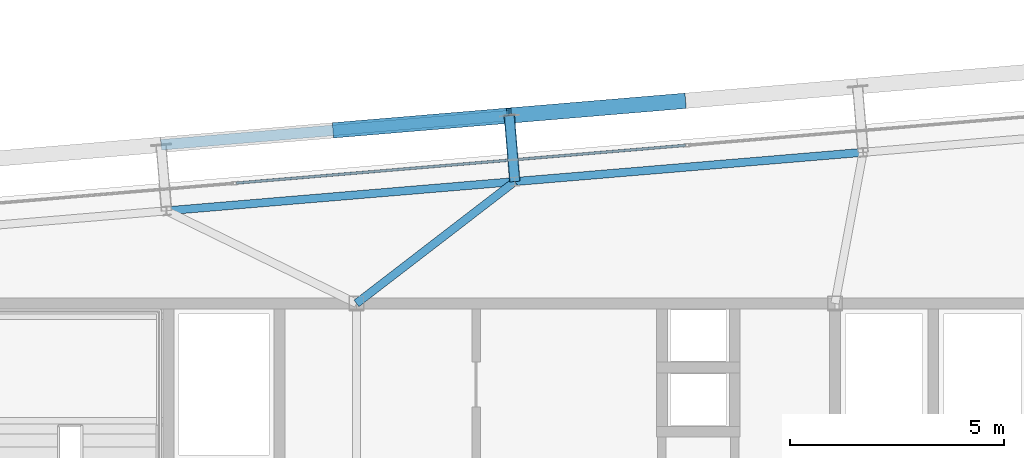
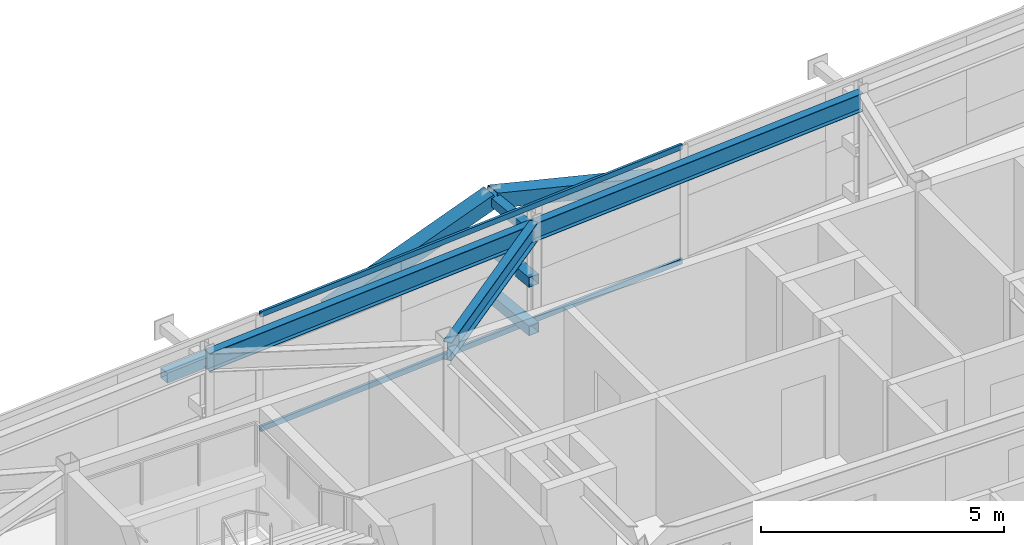
# One storey, part 22 of 37: 8 members, 3 beams, 1 element without a shape of its own.
"""IFC4 building model written with IfcOpenShell, lengths in metres."""

from ifc_helpers import new_model, si_unit, direction, frame, origin, origin_2d, place, context, subcontext, project, spatial, hollow_rectangle, i_section, extrude, source, transform, mapped, material, layer, layer_set, material_profile, profile_set, type_object, element, aggregate, save


model = new_model("IFC4")

# Units and contexts
model_context = context("Model", 3, precision=1e-05, world=origin(), true_north=direction((0.0, 1.0)))
body_context = subcontext(model_context, "Body", "Model", "MODEL_VIEW")
ifc_project = project(units=[si_unit("LENGTHUNIT", "METRE"), si_unit("AREAUNIT", "SQUARE_METRE"), si_unit("VOLUMEUNIT", "CUBIC_METRE"), si_unit("PLANEANGLEUNIT", "RADIAN"), si_unit("MASSUNIT", "GRAM", prefix="KILO")], contexts=[model_context])

# Site, building, storey
site_placement = place(None, origin())
site = spatial("IfcSite", under=ifc_project, at=site_placement, CompositionType="ELEMENT")
building_placement = place(site_placement, origin())
building = spatial("IfcBuilding", under=site, at=building_placement, Name="Taldren Reach Tower", CompositionType="ELEMENT")
storey_placement = place(building_placement, frame((0.0, 0.0, 200.89990234375)))
storey = spatial("IfcBuildingStorey", under=building, at=storey_placement, Name="L61", CompositionType="ELEMENT", Elevation=200.89990234375)

# Members
ifc_material_1 = material(Name="Steel Gr 350 (C350L0)", Category="steel")
ifc_material_profile_1 = material_profile(ifc_material_1, hollow_rectangle(XDim=0.25, YDim=0.25, WallThickness=0.010009765625, at=origin_2d()), Name="250x250x10.0SHS")
ifc_profile_set_1 = profile_set([ifc_material_profile_1], Name="Steel Gr 350 (C350L0)")
member_type_1 = type_object("IfcMemberType", Name="MB-POST250", PredefinedType="POST", material=ifc_profile_set_1)
shared_shape_1 = source(origin(), body_context, "Body", "SweptSolid", [
    extrude(hollow_rectangle(XDim=0.25, YDim=0.25, WallThickness=0.010009765625, at=origin_2d()), origin(), (0.0, 0.0, 1.0), 1.5498046875),
])
for number, where, z_axis, x_axis, name in (
    (1, (31.706298828125, 34.8525390625, 0.22021484375), (-0.083645141657, 0.996495604746, 0.0), (-0.996495604746, -0.083645141657, 0.0), "Exoskeleton base diaphragm tie strut B4-N3 L61"),
    (2, (31.706298828125, 34.8525390625, 1.43505859375), (-0.083645141657, 0.996495604746, 0.0), (-0.996495604746, -0.083645141657, 0.0), "Exoskeleton mid-tier diaphragm tie B4-N3 L61"),
):
    element("IfcMember", number, at=place(storey_placement, frame(where, z_axis=z_axis, x_axis=x_axis)), inside=storey, type_object=member_type_1, Name=name, PredefinedType="POST", context=body_context, shape_type="MappedRepresentation", body=[
        mapped(shared_shape_1, transform((0.0, 0.0, 0.0), scale=1.0)),
    ])

# Beams
ifc_material_2 = material(Name="Steel Gr 350 (350PLUS)", Category="steel")
ifc_material_profile_2 = material_profile(ifc_material_2, i_section(OverallWidth=0.18994140625, OverallDepth=0.4541015625, WebThickness=0.008544921875, FlangeThickness=0.0126953125, at=origin_2d()), Name="460UB67.1")
ifc_profile_set_2 = profile_set([ifc_material_profile_2], Name="Steel Gr 350 (350PLUS)")
beam_type_1 = type_object("IfcBeamType", Name="SP-UB460B", PredefinedType="SPANDREL", material=ifc_profile_set_2)
shared_shape_2 = source(origin(), body_context, "Body", "SweptSolid", [
    extrude(i_section(OverallWidth=0.18994140625, OverallDepth=0.4541015625, WebThickness=0.008544921875, FlangeThickness=0.0126953125, at=origin_2d()), origin(), (0.0, 0.0, 1.0), 8.18017578125),
])
beam_1_placement = place(storey_placement, frame((39.857666015625, 35.537109375, 2.703125), z_axis=(-0.996492034688, -0.083687662192, 0.0), x_axis=(0.083687662192, -0.996492034688, 0.0)))
element("IfcBeam", 3, at=beam_1_placement, inside=storey, type_object=beam_type_1, Name="Perimeter spandrel B4 N4-N3 L61", PredefinedType="SPANDREL", context=body_context, shape_type="MappedRepresentation", body=[
    mapped(shared_shape_2, transform((0.0, 0.0, 0.0), scale=1.0)),
])
shared_shape_3 = source(origin(), body_context, "Body", "SweptSolid", [
    extrude(i_section(OverallWidth=0.18994140625, OverallDepth=0.4541015625, WebThickness=0.008544921875, FlangeThickness=0.0126953125, at=origin_2d()), origin(), (0.0, 0.0, 1.0), 8.179931640625),
])
beam_2_placement = place(storey_placement, frame((31.706298828125, 34.8525390625, 2.703125), z_axis=(-0.99649182565, -0.08369015123, 0.0), x_axis=(0.08369015123, -0.99649182565, 0.0)))
element("IfcBeam", 4, at=beam_2_placement, inside=storey, type_object=beam_type_1, Name="Perimeter spandrel B4 N3-N2 L61", PredefinedType="SPANDREL", context=body_context, shape_type="MappedRepresentation", body=[
    mapped(shared_shape_3, transform((0.0, 0.0, 0.0), scale=1.0)),
])
ifc_material_profile_3 = material_profile(ifc_material_2, i_section(OverallWidth=0.19091796875, OverallDepth=0.4599609375, WebThickness=0.010009765625, FlangeThickness=0.01611328125, at=origin_2d()), Name="460UB82.1")
ifc_profile_set_3 = profile_set([ifc_material_profile_3], Name="Steel Gr 350 (350PLUS)")
beam_type_2 = type_object("IfcBeamType", Name="BM-UB460A", PredefinedType="BEAM", material=ifc_profile_set_3)
shared_shape_4 = source(origin(), body_context, "Body", "SweptSolid", [
    extrude(i_section(OverallWidth=0.19091796875, OverallDepth=0.4599609375, WebThickness=0.010009765625, FlangeThickness=0.01611328125, at=origin_2d()), origin(), (0.0, 0.0, 1.0), 4.677001953125),
])
beam_3_placement = place(storey_placement, frame((28.0, 32.0, 2.7001953125), z_axis=(0.792464836093, 0.609917603907, 0.0), x_axis=(-0.609917603907, 0.792464836093, 0.0)))
element("IfcBeam", 5, at=beam_3_placement, inside=storey, type_object=beam_type_2, Name="Primary floor girder B4-N3 L61", PredefinedType="BEAM", context=body_context, shape_type="MappedRepresentation", body=[
    mapped(shared_shape_4, transform((0.0, 0.0, 0.0), scale=1.0)),
])

# Members
ifc_material_3 = material(Name="Steel Gr 450 (C450L0)", Category="steel")
ifc_material_profile_4 = material_profile(ifc_material_3, hollow_rectangle(XDim=0.219970703125, YDim=0.219970703125, WallThickness=0.00830078125, at=origin_2d()), Name="220x220x8.2SHS")
ifc_profile_set_4 = profile_set([ifc_material_profile_4], Name="Steel Gr 450 (C450L0)")
member_type_2 = type_object("IfcMemberType", Name="MB-TIE219", PredefinedType="STRUT", material=ifc_profile_set_4)
shared_shape_5 = source(origin(), body_context, "Body", "SweptSolid", [
    extrude(hollow_rectangle(XDim=0.219970703125, YDim=0.219970703125, WallThickness=0.00830078125, at=origin_2d()), origin(), (0.0, 0.0, 1.0), 1.5498046875),
])
member_1_placement = place(storey_placement, frame((31.706298828125, 34.8525390625, 2.650146484375), z_axis=(-0.083645141657, 0.996495604746, 0.0), x_axis=(-0.996495604746, -0.083645141657, 0.0)))
element("IfcMember", 6, at=member_1_placement, inside=storey, type_object=member_type_2, Name="Exoskeleton diaphragm tie strut B4-N3 L61", PredefinedType="STRUT", context=body_context, shape_type="MappedRepresentation", body=[
    mapped(shared_shape_5, transform((0.0, 0.0, 0.0), scale=1.0)),
])
shared_shape_6 = source(origin(), body_context, "Body", "SweptSolid", [
    extrude(hollow_rectangle(XDim=0.25, YDim=0.25, WallThickness=0.010009765625, at=origin_2d()), origin(), (0.0, 0.0, 1.0), 8.179931640625),
])
member_2_placement = place(storey_placement, frame((23.42529296875, 35.712646484375, 1.43505859375), z_axis=(0.996494523218, 0.083658025296, 0.0), x_axis=(-0.083658025296, 0.996494523218, 0.0)))
element("IfcMember", 7, at=member_2_placement, inside=storey, type_object=member_type_1, Name="Exoskeleton mid-height ring chord B4-N2 L61", PredefinedType="POST", context=body_context, shape_type="MappedRepresentation", body=[
    mapped(shared_shape_6, transform((0.0, 0.0, 0.0), scale=1.0)),
])
ifc_material_profile_5 = material_profile(ifc_material_3, hollow_rectangle(XDim=0.360107421875, YDim=0.360107421875, WallThickness=0.0126953125, at=origin_2d()), Name="360x360x12.7SHS")
ifc_profile_set_5 = profile_set([ifc_material_profile_5], Name="Steel Gr 450 (C450L0)")
member_type_3 = type_object("IfcMemberType", Name="MB-EXO356", PredefinedType="BRACE", material=ifc_profile_set_5)
shared_shape_7 = source(origin(), body_context, "Body", "SweptSolid", [
    extrude(hollow_rectangle(XDim=0.360107421875, YDim=0.360107421875, WallThickness=0.0126953125, at=origin_2d()), origin(), (0.0, 0.0, 1.0), 4.2666015625),
])
for number, where, z_axis, x_axis, name in (
    (8, (27.5009765625, 36.054931640625, 1.43505859375), (0.955233542365, 0.080165460216, 0.28478479336), (-0.083628388178, 0.996497010879, 0.0), "Exoskeleton Diagrid Brace B4-N2 L61"),
    (9, (35.65234375, 36.7392578125, 1.43505859375), (-0.955229159097, -0.080222312271, 0.284783486572), (0.083687662192, -0.996492034688, 0.0), "Exoskeleton Diagrid Brace B4-N3 L61"),
):
    element("IfcMember", number, at=place(storey_placement, frame(where, z_axis=z_axis, x_axis=x_axis)), inside=storey, type_object=member_type_3, Name=name, PredefinedType="BRACE", context=body_context, shape_type="MappedRepresentation", body=[
        mapped(shared_shape_7, transform((0.0, 0.0, 0.0), scale=1.0)),
    ])

# Curtain wall, members
ifc_material_4 = material(Name="Aluminium and Low-E Glass Unitised System", Category="aluminium")
ifc_layer = layer(ifc_material_4, 0.159912109375)
ifc_layer_set = layer_set([ifc_layer], Name="Aluminium and Low-E Glass Unitised System")
curtain_wall_type = type_object("IfcCurtainWallType", Name="CW-SYS-5", PredefinedType="NOTDEFINED", material=ifc_layer_set)
curtain_wall_placement = place(storey_placement, origin())
curtain_wall = element("IfcCurtainWall", 10, at=curtain_wall_placement, inside=storey, type_object=curtain_wall_type, Name="Unitised curtain wall CW-L61-N", PredefinedType="NOTDEFINED")
ifc_material_5 = material(Name="Anodised Aluminium 6063-T6", Category="aluminium")
ifc_material_profile_6 = material_profile(ifc_material_5, hollow_rectangle(XDim=0.06005859375, YDim=0.135009765625, WallThickness=0.00341796875, at=origin_2d()), Name="ALU-135x60x3.5RHS")
ifc_profile_set_6 = profile_set([ifc_material_profile_6], Name="Anodised Aluminium 6063-T6")
member_type_4 = type_object("IfcMemberType", Name="CW-TRN-150", PredefinedType="USERDEFINED", material=ifc_profile_set_6)
shared_shape_8 = source(origin(), body_context, "Body", "SweptSolid", [
    extrude(hollow_rectangle(XDim=0.06005859375, YDim=0.135009765625, WallThickness=0.00341796875, at=origin_2d()), origin(), (0.0, 0.0, 1.0), 10.55517578125),
])
member_3_placement = place(storey_placement, frame((35.70458984375, 35.699951171875, 0.030029296875), z_axis=(-0.996494202684, -0.083661843255, 0.0), x_axis=(0.083661843255, -0.996494202684, 0.0)))
member_3 = element("IfcMember", 11, at=member_3_placement, type_object=member_type_4, Name="CW-5 transom 3.1", ObjectType="TRANSOM", PredefinedType="USERDEFINED", context=body_context, shape_type="MappedRepresentation", body=[
    mapped(shared_shape_8, transform((0.0, 0.0, 0.0), scale=1.0)),
])
member_4_placement = place(storey_placement, frame((35.70458984375, 35.699951171875, 2.900146484375), z_axis=(-0.996494202684, -0.083661843255, 0.0), x_axis=(0.083661843255, -0.996494202684, 0.0)))
member_4 = element("IfcMember", 12, at=member_4_placement, type_object=member_type_4, Name="CW-5 transom 3.2", ObjectType="TRANSOM", PredefinedType="USERDEFINED", context=body_context, shape_type="MappedRepresentation", body=[
    mapped(shared_shape_8, transform((0.0, 0.0, 0.0), scale=1.0)),
])
aggregate(curtain_wall, [member_3, member_4])

save(model, "model.ifc")
